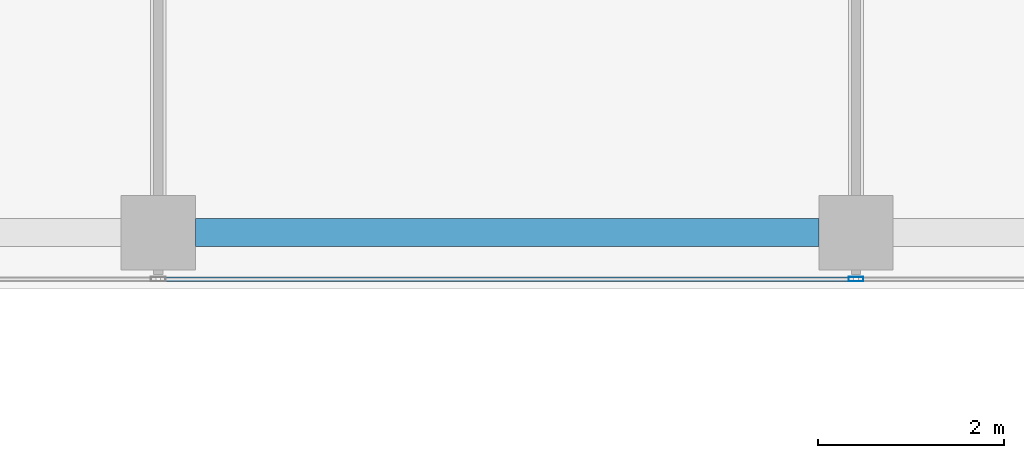
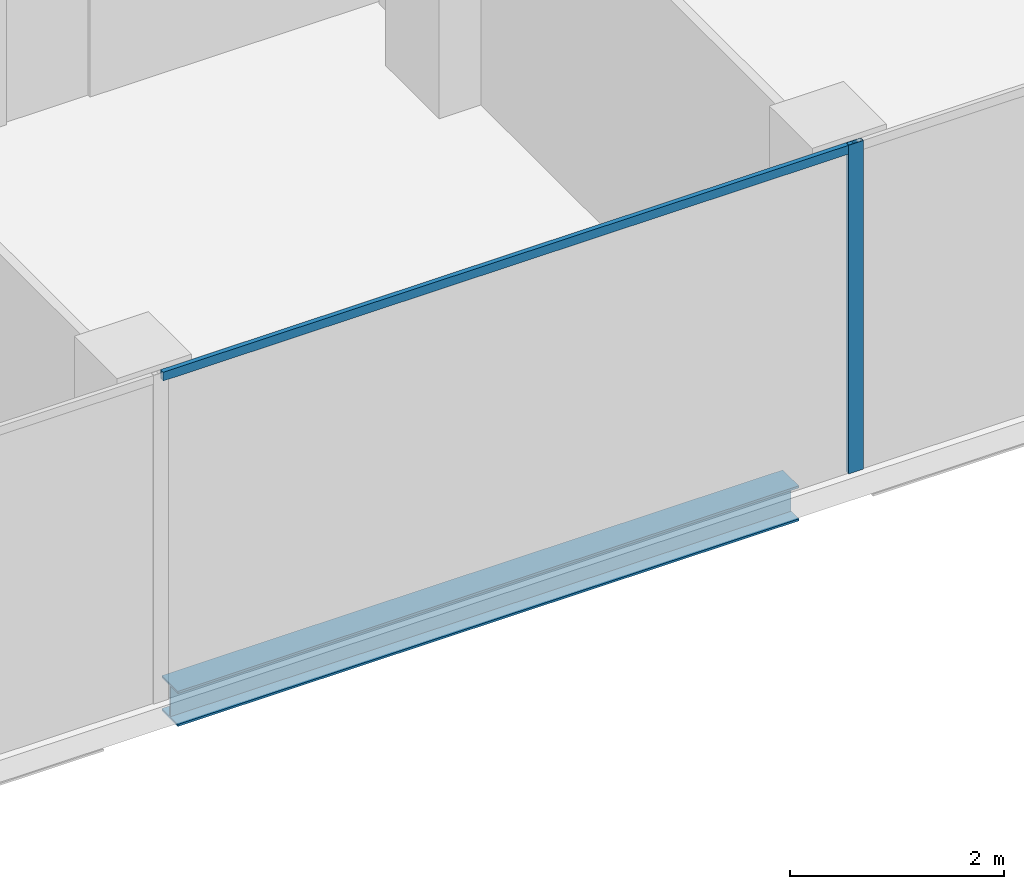
# One storey, part 6 of 29: 2 members, 1 beam, 1 element without a shape of its own.
"""IFC4 building model written with IfcOpenShell, lengths in metres."""

from ifc_helpers import new_model, si_unit, direction, frame, origin, origin_2d, place, context, subcontext, project, spatial, hollow_rectangle, i_section, extrude, source, transform, mapped, material, material_profile, profile_set, type_object, element, aggregate, save


model = new_model("IFC4")

# Units and contexts
model_context = context("Model", 3, precision=1e-05, world=origin(), true_north=direction((0.0, 1.0)))
body_context = subcontext(model_context, "Body", "Model", "MODEL_VIEW")
ifc_project = project(units=[si_unit("LENGTHUNIT", "METRE"), si_unit("AREAUNIT", "SQUARE_METRE"), si_unit("VOLUMEUNIT", "CUBIC_METRE"), si_unit("PLANEANGLEUNIT", "RADIAN"), si_unit("MASSUNIT", "GRAM", prefix="KILO")], contexts=[model_context])

# Site, building, storey
site_placement = place(None, origin())
site = spatial("IfcSite", under=ifc_project, at=site_placement, CompositionType="ELEMENT")
building_placement = place(site_placement, origin())
building = spatial("IfcBuilding", under=site, at=building_placement, Name="Khomas Fold Tower", CompositionType="ELEMENT")
storey_placement = place(building_placement, frame((0.0, 0.0, 290.199951171875)))
storey = spatial("IfcBuildingStorey", under=building, at=storey_placement, Name="L65", CompositionType="ELEMENT", Elevation=290.199951171875)

# Beam
ifc_material_1 = material(Name="Steel S355", Category="steel")
ifc_material_profile_1 = material_profile(ifc_material_1, i_section(OverallWidth=0.300048828125, OverallDepth=0.39990234375, WebThickness=0.013427734375, FlangeThickness=0.02392578125, at=origin_2d()), Name="HE 400 B")
ifc_profile_set_1 = profile_set([ifc_material_profile_1], Name="Steel S355")
beam_type = type_object("IfcBeamType", Name="HE 400 B spandrel SB5", PredefinedType="SPANDREL", material=ifc_profile_set_1)
shared_shape_1 = source(origin(), body_context, "Body", "SweptSolid", [
    extrude(i_section(OverallWidth=0.300048828125, OverallDepth=0.39990234375, WebThickness=0.013427734375, FlangeThickness=0.02392578125, at=origin_2d()), origin(), (0.0, 0.0, 1.0), 6.7001953125),
])
beam_placement = place(storey_placement, frame((27.39990234375, 6.60009765625, -0.449951171875), z_axis=(1.0, 0.0, 0.0), x_axis=(0.0, 1.0, 0.0)))
element("IfcBeam", 1, at=beam_placement, inside=storey, type_object=beam_type, Name="SB5", PredefinedType="SPANDREL", context=body_context, shape_type="MappedRepresentation", body=[
    mapped(shared_shape_1, transform((0.0, 0.0, 0.0))),
])

# Curtain wall, members
ifc_material_2 = material(Name="Aluminium framed double glazing", Category="aluminium")
curtain_wall_type = type_object("IfcCurtainWallType", Name="SK-Unitised clear-glass wall, upper floors CW3", PredefinedType="NOTDEFINED", material=ifc_material_2)
curtain_wall_placement = place(storey_placement, origin())
curtain_wall = element("IfcCurtainWall", 2, at=curtain_wall_placement, inside=storey, type_object=curtain_wall_type, Name="CW3 run L65 00-0", PredefinedType="NOTDEFINED")
ifc_material_3 = material(Name="Aluminium", Category="aluminium")
ifc_material_profile_2 = material_profile(ifc_material_3, hollow_rectangle(XDim=0.050048828125, YDim=0.159912109375, WallThickness=0.00390625, at=origin_2d()), Name="SK-Unitised clear-glass wall, upper floors mullion CW3-M")
ifc_profile_set_2 = profile_set([ifc_material_profile_2], Name="Aluminium")
member_type_1 = type_object("IfcMemberType", Name="SK-Unitised clear-glass wall, upper floors mullion CW3-M", PredefinedType="MULLION", material=ifc_profile_set_2)
shared_shape_2 = source(origin(), body_context, "Body", "SweptSolid", [
    extrude(hollow_rectangle(XDim=0.050048828125, YDim=0.159912109375, WallThickness=0.00390625, at=origin_2d()), origin(), (0.0, 0.0, 1.0), 3.75),
])
member_1_placement = place(storey_placement, frame((34.5, 6.10009765625, 0.0), z_axis=(0.0, 0.0, 1.0), x_axis=(0.0, 1.0, 0.0)))
member_1 = element("IfcMember", 3, at=member_1_placement, type_object=member_type_1, Name="CW3 mullion 5", PredefinedType="MULLION", context=body_context, shape_type="MappedRepresentation", body=[
    mapped(shared_shape_2, transform((0.0, 0.0, 0.0))),
])
ifc_material_4 = material(Name="Aluminium", Category="aluminium")
ifc_material_profile_3 = material_profile(ifc_material_4, hollow_rectangle(XDim=0.050048828125, YDim=0.10009765625, WallThickness=0.00390625, at=origin_2d()), Name="SK-Unitised clear-glass wall, upper floors transom CW3-T")
ifc_profile_set_3 = profile_set([ifc_material_profile_3], Name="Aluminium")
member_type_2 = type_object("IfcMemberType", Name="SK-Unitised clear-glass wall, upper floors transom CW3-T", PredefinedType="USERDEFINED", material=ifc_profile_set_3)
shared_shape_3 = source(origin(), body_context, "Body", "SweptSolid", [
    extrude(hollow_rectangle(XDim=0.050048828125, YDim=0.10009765625, WallThickness=0.00390625, at=origin_2d()), origin(), (0.0, 0.0, 1.0), 7.4501953125),
])
member_2_placement = place(storey_placement, frame((27.02490234375, 6.10009765625, 3.699951171875), z_axis=(1.0, 0.0, 0.0), x_axis=(0.0, 1.0, 0.0)))
member_2 = element("IfcMember", 4, at=member_2_placement, type_object=member_type_2, Name="CW3 transom 4", ObjectType="TRANSOM", PredefinedType="USERDEFINED", context=body_context, shape_type="MappedRepresentation", body=[
    mapped(shared_shape_3, transform((0.0, 0.0, 0.0))),
])
aggregate(curtain_wall, [member_1, member_2])

save(model, "model.ifc")
